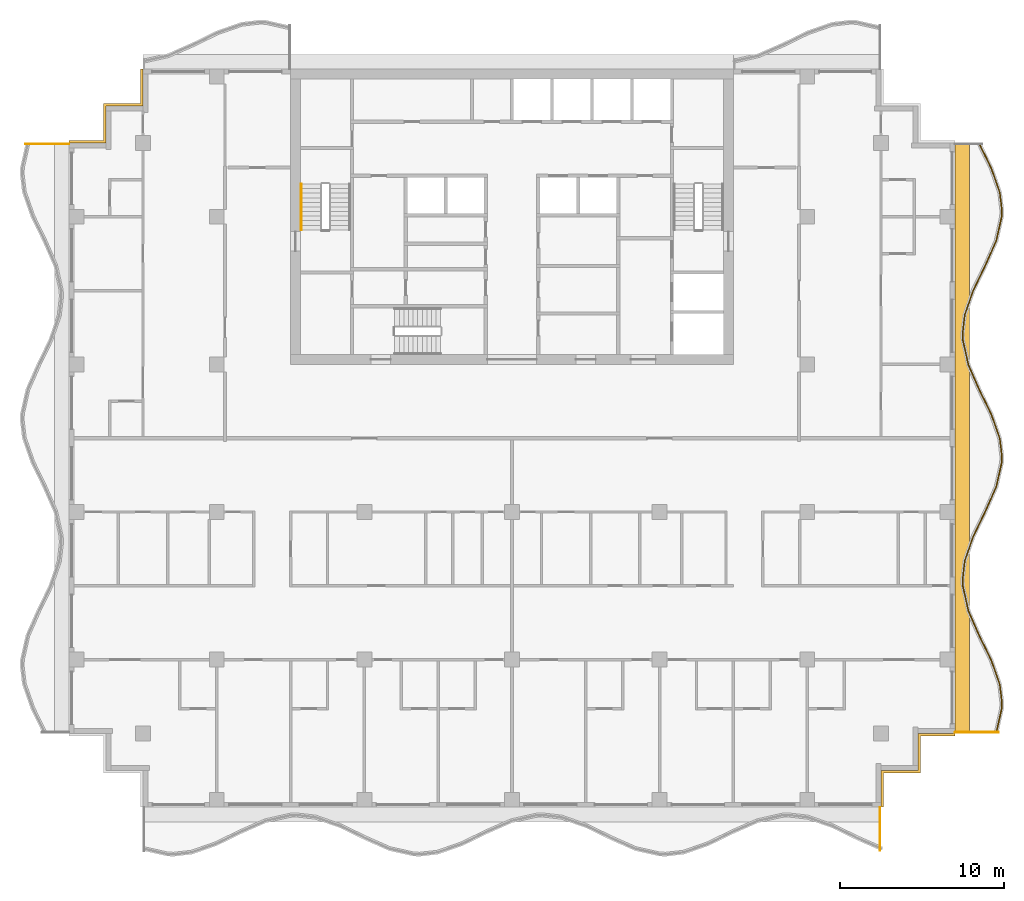
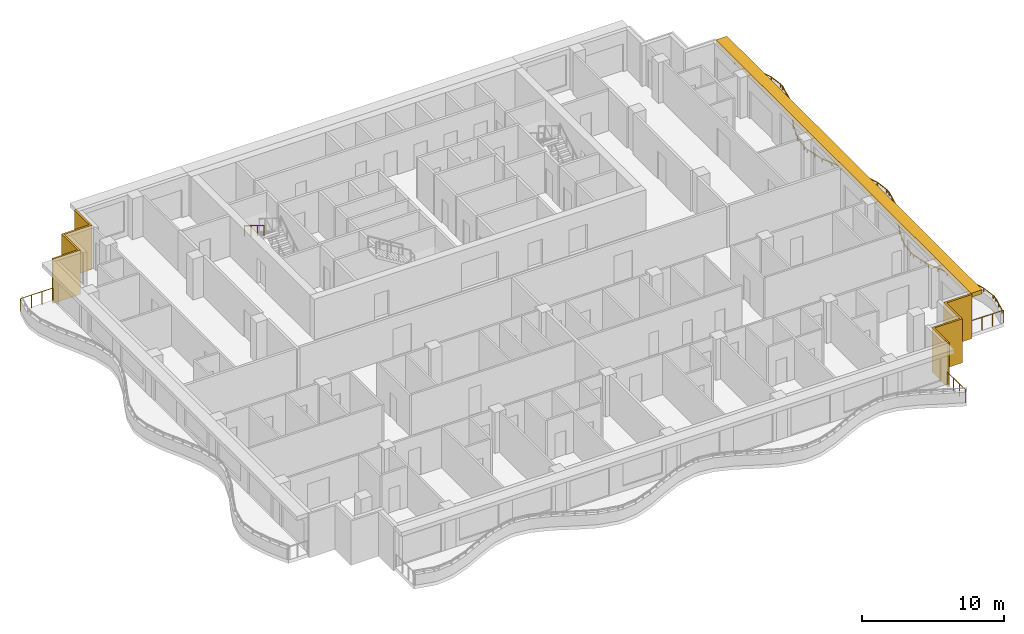
# One storey, part 10 of 11: 5 railings, 3 shading devices.
"""IFC4 building model written with IfcOpenShell, lengths in metres."""

from ifc_helpers import new_model, si_unit, direction, frame, origin, origin_2d, place, context, subcontext, project, spatial, polyline, rectangle, circle, outline, extrude, material, layer, layer_set, type_object, element, save


model = new_model("IFC4")

# Units and contexts
model_context = context("Model", 3, precision=1e-05, world=origin(), true_north=direction((0.0, 1.0)))
body_context = subcontext(model_context, "Body", "Model", "MODEL_VIEW")
ifc_project = project(units=[si_unit("LENGTHUNIT", "METRE"), si_unit("AREAUNIT", "SQUARE_METRE"), si_unit("VOLUMEUNIT", "CUBIC_METRE"), si_unit("PLANEANGLEUNIT", "RADIAN"), si_unit("MASSUNIT", "GRAM", prefix="KILO")], contexts=[model_context])

# Site, building, storey
site_placement = place(None, origin())
site = spatial("IfcSite", under=ifc_project, at=site_placement, CompositionType="ELEMENT")
building_placement = place(site_placement, origin())
building = spatial("IfcBuilding", under=site, at=building_placement, Name="Orbiselva Terraces", CompositionType="ELEMENT")
storey_placement = place(building_placement, frame((0.0, 0.0, 276.8)))
storey = spatial("IfcBuildingStorey", under=building, at=storey_placement, Name="L70", CompositionType="ELEMENT", Elevation=276.8)

# Railings
ifc_material_1 = material(Name="Stainless steel", Category="steel")
railing_type_1 = type_object("IfcRailingType", Name="CORE-HANDRAIL-900", PredefinedType="HANDRAIL", material=ifc_material_1)
railing_1_placement = place(storey_placement, frame((-12.85, 15.5, 2.072727)))
element("IfcRailing", 1, at=railing_1_placement, inside=storey, type_object=railing_type_1, Name="L70 S1 stair handrail 2", PredefinedType="HANDRAIL", context=body_context, shape_type="SweptSolid", body=[
    extrude(circle(Radius=0.024, at=origin_2d()), frame((0.0, 0.0, 0.876), z_axis=(0.0, -0.851088519012, 0.52502222125), x_axis=(1.0, 0.0, 0.0)), (0.0, 0.0, 1.0), 3.289905),
    extrude(circle(Radius=0.021, at=origin_2d()), origin(), (0.0, 0.0, 1.0), 0.852),
    extrude(circle(Radius=0.021, at=origin_2d()), frame((0.0, -0.933333, 0.575758)), (0.0, 0.0, 1.0), 0.852),
    extrude(circle(Radius=0.021, at=origin_2d()), frame((0.0, -1.866667, 1.151515)), (0.0, 0.0, 1.0), 0.852),
    extrude(circle(Radius=0.021, at=origin_2d()), frame((0.0, -2.8, 1.727273)), (0.0, 0.0, 1.0), 0.852),
])
ifc_material_2 = material(Name="Bonded two-ply safety glass balustrade, stainless steel posts", Category="steel")
railing_type_2 = type_object("IfcRailingType", Name="ENV-BALUSTRADE-1200", PredefinedType="BALUSTRADE", material=ifc_material_2)
railing_2_placement = place(storey_placement, frame((29.526563, -17.972623, 0.9)))
element("IfcRailing", 2, at=railing_2_placement, inside=storey, type_object=railing_type_2, Name="Balcony balustrade L70 E", PredefinedType="BALUSTRADE", context=body_context, shape_type="SweptSolid", body=[
    extrude(outline(polyline([(0.028868, 0.0), (0.014434, 0.025), (-0.014434, 0.025), (-0.028868, 0.0), (-0.014434, -0.025), (0.014434, -0.025), (0.028868, 0.0)])), frame((0.0, 0.0, 0.275), z_axis=(0.21901575501, 0.975721322437, 0.0), x_axis=(-0.975721322437, 0.21901575501, 0.0)), (0.0, 0.0, 1.0), 1.525954),
    extrude(outline(polyline([(0.028868, 0.0), (0.014434, 0.025), (-0.014434, 0.025), (-0.028868, 0.0), (-0.014434, -0.025), (0.014434, -0.025), (0.028868, 0.0)])), frame((0.334208, 1.488906, 0.275), z_axis=(0.039364150694, 0.999224931454, 0.0), x_axis=(-0.999224931454, 0.039364150694, 0.0)), (0.0, 0.0, 1.0), 0.354206),
    extrude(outline(polyline([(0.028868, 0.0), (0.014434, 0.025), (-0.014434, 0.025), (-0.028868, 0.0), (-0.014434, -0.025), (0.014434, -0.025), (0.028868, 0.0)])), frame((0.348151, 1.842837, 0.275), z_axis=(-0.115481264762, 0.993309658409, 0.0), x_axis=(-0.993309658409, -0.115481264762, 0.0)), (0.0, 0.0, 1.0), 1.10902),
    extrude(outline(polyline([(0.028868, 0.0), (0.014434, 0.025), (-0.014434, 0.025), (-0.028868, 0.0), (-0.014434, -0.025), (0.014434, -0.025), (0.028868, 0.0)])), frame((0.22008, 2.944437, 0.275), z_axis=(-0.330024754707, 0.943972277814, 0.0), x_axis=(-0.943972277814, -0.330024754707, 0.0)), (0.0, 0.0, 1.0), 1.567807),
    extrude(outline(polyline([(0.028868, 0.0), (0.014434, 0.025), (-0.014434, 0.025), (-0.028868, 0.0), (-0.014434, -0.025), (0.014434, -0.025), (0.028868, 0.0)])), frame((-0.297335, 4.424403, 0.275), z_axis=(-0.438811978768, 0.89857890432, 0.0), x_axis=(-0.89857890432, -0.438811978768, 0.0)), (0.0, 0.0, 1.0), 1.66438),
    extrude(outline(polyline([(0.028868, 0.0), (0.014434, 0.025), (-0.014434, 0.025), (-0.028868, 0.0), (-0.014434, -0.025), (0.014434, -0.025), (0.028868, 0.0)])), frame((-1.027685, 5.91998, 0.275), z_axis=(-0.403150874148, 0.915133527237, 0.0), x_axis=(-0.915133527237, -0.403150874148, 0.0)), (0.0, 0.0, 1.0), 1.653736),
    extrude(outline(polyline([(0.028868, 0.0), (0.014434, 0.025), (-0.014434, 0.025), (-0.028868, 0.0), (-0.014434, -0.025), (0.014434, -0.025), (0.028868, 0.0)])), frame((-1.69439, 7.433369, 0.275), z_axis=(-0.219015500924, 0.97572137947, 0.0), x_axis=(-0.97572137947, -0.219015500924, 0.0)), (0.0, 0.0, 1.0), 1.560867),
    extrude(outline(polyline([(0.028868, 0.0), (0.014434, 0.025), (-0.014434, 0.025), (-0.028868, 0.0), (-0.014434, -0.025), (0.014434, -0.025), (0.028868, 0.0)])), frame((-2.036244, 8.95634, 0.275), z_axis=(-0.03936915532, 0.999224734286, 0.0), x_axis=(-0.999224734286, -0.03936915532, 0.0)), (0.0, 0.0, 1.0), 0.396376),
    extrude(outline(polyline([(0.028868, 0.0), (0.014434, 0.025), (-0.014434, 0.025), (-0.028868, 0.0), (-0.014434, -0.025), (0.014434, -0.025), (0.028868, 0.0)])), frame((-2.051849, 9.352409, 0.275), z_axis=(0.115482182324, 0.993309551734, 0.0), x_axis=(-0.993309551734, 0.115482182324, 0.0)), (0.0, 0.0, 1.0), 1.156135),
    extrude(outline(polyline([(0.028868, 0.0), (0.014434, 0.025), (-0.014434, 0.025), (-0.028868, 0.0), (-0.014434, -0.025), (0.014434, -0.025), (0.028868, 0.0)])), frame((-1.918336, 10.500809, 0.275), z_axis=(0.330024597479, 0.943972332783, 0.0), x_axis=(-0.943972332783, 0.330024597479, 0.0)), (0.0, 0.0, 1.0), 1.610253),
    extrude(outline(polyline([(0.028868, 0.0), (0.014434, 0.025), (-0.014434, 0.025), (-0.028868, 0.0), (-0.014434, -0.025), (0.014434, -0.025), (0.028868, 0.0)])), frame((-1.386913, 12.020843, 0.275), z_axis=(0.438812048596, 0.898578870221, 0.0), x_axis=(-0.898578870221, 0.438812048596, 0.0)), (0.0, 0.0, 1.0), 1.674225),
    extrude(outline(polyline([(0.028868, 0.0), (0.014434, 0.025), (-0.014434, 0.025), (-0.028868, 0.0), (-0.014434, -0.025), (0.014434, -0.025), (0.028868, 0.0)])), frame((-0.652243, 13.525266, 0.275), z_axis=(0.403151245402, 0.915133363686, 0.0), x_axis=(-0.915133363686, 0.403151245402, 0.0)), (0.0, 0.0, 1.0), 1.624475),
    extrude(outline(polyline([(0.028868, 0.0), (0.014434, 0.025), (-0.014434, 0.025), (-0.028868, 0.0), (-0.014434, -0.025), (0.014434, -0.025), (0.028868, 0.0)])), frame((0.002666, 15.011877, 0.275), z_axis=(0.219015740235, 0.975721325753, 0.0), x_axis=(-0.975721325753, 0.219015740235, 0.0)), (0.0, 0.0, 1.0), 1.513782),
    extrude(outline(polyline([(0.028868, 0.0), (0.014434, 0.025), (-0.014434, 0.025), (-0.028868, 0.0), (-0.014434, -0.025), (0.014434, -0.025), (0.028868, 0.0)])), frame((0.334208, 16.488906, 0.275), z_axis=(0.039364150694, 0.999224931454, 0.0), x_axis=(-0.999224931454, 0.039364150694, 0.0)), (0.0, 0.0, 1.0), 0.354206),
    extrude(outline(polyline([(0.028868, 0.0), (0.014434, 0.025), (-0.014434, 0.025), (-0.028868, 0.0), (-0.014434, -0.025), (0.014434, -0.025), (0.028868, 0.0)])), frame((0.348151, 16.842837, 0.275), z_axis=(-0.115481264762, 0.993309658409, 0.0), x_axis=(-0.993309658409, -0.115481264762, 0.0)), (0.0, 0.0, 1.0), 1.10902),
    extrude(outline(polyline([(0.028868, 0.0), (0.014434, 0.025), (-0.014434, 0.025), (-0.028868, 0.0), (-0.014434, -0.025), (0.014434, -0.025), (0.028868, 0.0)])), frame((0.22008, 17.944437, 0.275), z_axis=(-0.330024754707, 0.943972277814, 0.0), x_axis=(-0.943972277814, -0.330024754707, 0.0)), (0.0, 0.0, 1.0), 1.567807),
    extrude(outline(polyline([(0.028868, 0.0), (0.014434, 0.025), (-0.014434, 0.025), (-0.028868, 0.0), (-0.014434, -0.025), (0.014434, -0.025), (0.028868, 0.0)])), frame((-0.297335, 19.424403, 0.275), z_axis=(-0.438811978768, 0.89857890432, 0.0), x_axis=(-0.89857890432, -0.438811978768, 0.0)), (0.0, 0.0, 1.0), 1.66438),
    extrude(outline(polyline([(0.028868, 0.0), (0.014434, 0.025), (-0.014434, 0.025), (-0.028868, 0.0), (-0.014434, -0.025), (0.014434, -0.025), (0.028868, 0.0)])), frame((-1.027685, 20.91998, 0.275), z_axis=(-0.403150874148, 0.915133527237, 0.0), x_axis=(-0.915133527237, -0.403150874148, 0.0)), (0.0, 0.0, 1.0), 1.653736),
    extrude(outline(polyline([(0.028868, 0.0), (0.014434, 0.025), (-0.014434, 0.025), (-0.028868, 0.0), (-0.014434, -0.025), (0.014434, -0.025), (0.028868, 0.0)])), frame((-1.69439, 22.433369, 0.275), z_axis=(-0.219015500924, 0.97572137947, 0.0), x_axis=(-0.97572137947, -0.219015500924, 0.0)), (0.0, 0.0, 1.0), 1.560867),
    extrude(outline(polyline([(0.028868, 0.0), (0.014434, 0.025), (-0.014434, 0.025), (-0.028868, 0.0), (-0.014434, -0.025), (0.014434, -0.025), (0.028868, 0.0)])), frame((-2.036244, 23.95634, 0.275), z_axis=(-0.03936915532, 0.999224734286, 0.0), x_axis=(-0.999224734286, -0.03936915532, 0.0)), (0.0, 0.0, 1.0), 0.396376),
    extrude(outline(polyline([(0.028868, 0.0), (0.014434, 0.025), (-0.014434, 0.025), (-0.028868, 0.0), (-0.014434, -0.025), (0.014434, -0.025), (0.028868, 0.0)])), frame((-2.051849, 24.352409, 0.275), z_axis=(0.115482182324, 0.993309551734, 0.0), x_axis=(-0.993309551734, 0.115482182324, 0.0)), (0.0, 0.0, 1.0), 1.156135),
    extrude(outline(polyline([(0.028868, 0.0), (0.014434, 0.025), (-0.014434, 0.025), (-0.028868, 0.0), (-0.014434, -0.025), (0.014434, -0.025), (0.028868, 0.0)])), frame((-1.918336, 25.500809, 0.275), z_axis=(0.330024597479, 0.943972332783, 0.0), x_axis=(-0.943972332783, 0.330024597479, 0.0)), (0.0, 0.0, 1.0), 1.610253),
    extrude(outline(polyline([(0.028868, 0.0), (0.014434, 0.025), (-0.014434, 0.025), (-0.028868, 0.0), (-0.014434, -0.025), (0.014434, -0.025), (0.028868, 0.0)])), frame((-1.386913, 27.020843, 0.275), z_axis=(0.438812048596, 0.898578870221, 0.0), x_axis=(-0.898578870221, 0.438812048596, 0.0)), (0.0, 0.0, 1.0), 1.674225),
    extrude(outline(polyline([(0.028868, 0.0), (0.014434, 0.025), (-0.014434, 0.025), (-0.028868, 0.0), (-0.014434, -0.025), (0.014434, -0.025), (0.028868, 0.0)])), frame((-0.652243, 28.525266, 0.275), z_axis=(0.403151245402, 0.915133363686, 0.0), x_axis=(-0.915133363686, 0.403151245402, 0.0)), (0.0, 0.0, 1.0), 1.624475),
    extrude(outline(polyline([(0.028868, 0.0), (0.014434, 0.025), (-0.014434, 0.025), (-0.028868, 0.0), (-0.014434, -0.025), (0.014434, -0.025), (0.028868, 0.0)])), frame((0.002666, 30.011877, 0.275), z_axis=(0.219015740235, 0.975721325753, 0.0), x_axis=(-0.975721325753, 0.219015740235, 0.0)), (0.0, 0.0, 1.0), 1.513782),
    extrude(outline(polyline([(0.028868, 0.0), (0.014434, 0.025), (-0.014434, 0.025), (-0.028868, 0.0), (-0.014434, -0.025), (0.014434, -0.025), (0.028868, 0.0)])), frame((0.334208, 31.488906, 0.275), z_axis=(0.039364150694, 0.999224931454, 0.0), x_axis=(-0.999224931454, 0.039364150694, 0.0)), (0.0, 0.0, 1.0), 0.354206),
    extrude(outline(polyline([(0.028868, 0.0), (0.014434, 0.025), (-0.014434, 0.025), (-0.028868, 0.0), (-0.014434, -0.025), (0.014434, -0.025), (0.028868, 0.0)])), frame((0.348151, 31.842837, 0.275), z_axis=(-0.115481264762, 0.993309658409, 0.0), x_axis=(-0.993309658409, -0.115481264762, 0.0)), (0.0, 0.0, 1.0), 1.10902),
    extrude(outline(polyline([(0.028868, 0.0), (0.014434, 0.025), (-0.014434, 0.025), (-0.028868, 0.0), (-0.014434, -0.025), (0.014434, -0.025), (0.028868, 0.0)])), frame((0.22008, 32.944437, 0.275), z_axis=(-0.330024754707, 0.943972277814, 0.0), x_axis=(-0.943972277814, -0.330024754707, 0.0)), (0.0, 0.0, 1.0), 1.567807),
    extrude(outline(polyline([(0.028868, 0.0), (0.014434, 0.025), (-0.014434, 0.025), (-0.028868, 0.0), (-0.014434, -0.025), (0.014434, -0.025), (0.028868, 0.0)])), frame((-0.297335, 34.424403, 0.275), z_axis=(-0.438811853882, 0.898578965307, 0.0), x_axis=(-0.898578965307, -0.438811853882, 0.0)), (0.0, 0.0, 1.0), 1.661922),
    extrude(rectangle(XDim=0.05, YDim=0.05, at=origin_2d()), origin(), (0.0, 0.0, 1.0), 0.25),
    extrude(rectangle(XDim=0.05, YDim=0.05, at=origin_2d()), frame((0.167104, 0.744453, 0.0)), (0.0, 0.0, 1.0), 0.25),
    extrude(rectangle(XDim=0.05, YDim=0.05, at=origin_2d()), frame((0.334208, 1.488906, 0.0)), (0.0, 0.0, 1.0), 0.25),
    extrude(rectangle(XDim=0.05, YDim=0.05, at=origin_2d()), frame((0.348151, 1.842837, 0.0)), (0.0, 0.0, 1.0), 0.25),
    extrude(rectangle(XDim=0.05, YDim=0.05, at=origin_2d()), frame((0.22008, 2.944437, 0.0)), (0.0, 0.0, 1.0), 0.25),
    extrude(rectangle(XDim=0.05, YDim=0.05, at=origin_2d()), frame((-0.038628, 3.68442, 0.0)), (0.0, 0.0, 1.0), 0.25),
    extrude(rectangle(XDim=0.05, YDim=0.05, at=origin_2d()), frame((-0.297335, 4.424403, 0.0)), (0.0, 0.0, 1.0), 0.25),
    extrude(rectangle(XDim=0.05, YDim=0.05, at=origin_2d()), frame((-0.66251, 5.172191, 0.0)), (0.0, 0.0, 1.0), 0.25),
    extrude(rectangle(XDim=0.05, YDim=0.05, at=origin_2d()), frame((-1.027685, 5.91998, 0.0)), (0.0, 0.0, 1.0), 0.25),
    extrude(rectangle(XDim=0.05, YDim=0.05, at=origin_2d()), frame((-1.361037, 6.676674, 0.0)), (0.0, 0.0, 1.0), 0.25),
    extrude(rectangle(XDim=0.05, YDim=0.05, at=origin_2d()), frame((-1.69439, 7.433369, 0.0)), (0.0, 0.0, 1.0), 0.25),
    extrude(rectangle(XDim=0.05, YDim=0.05, at=origin_2d()), frame((-1.865317, 8.194854, 0.0)), (0.0, 0.0, 1.0), 0.25),
    extrude(rectangle(XDim=0.05, YDim=0.05, at=origin_2d()), frame((-2.036244, 8.95634, 0.0)), (0.0, 0.0, 1.0), 0.25),
    extrude(rectangle(XDim=0.05, YDim=0.05, at=origin_2d()), frame((-2.051849, 9.352409, 0.0)), (0.0, 0.0, 1.0), 0.25),
    extrude(rectangle(XDim=0.05, YDim=0.05, at=origin_2d()), frame((-1.918336, 10.500809, 0.0)), (0.0, 0.0, 1.0), 0.25),
    extrude(rectangle(XDim=0.05, YDim=0.05, at=origin_2d()), frame((-1.652624, 11.260826, 0.0)), (0.0, 0.0, 1.0), 0.25),
    extrude(rectangle(XDim=0.05, YDim=0.05, at=origin_2d()), frame((-1.386913, 12.020843, 0.0)), (0.0, 0.0, 1.0), 0.25),
    extrude(rectangle(XDim=0.05, YDim=0.05, at=origin_2d()), frame((-1.019578, 12.773054, 0.0)), (0.0, 0.0, 1.0), 0.25),
    extrude(rectangle(XDim=0.05, YDim=0.05, at=origin_2d()), frame((-0.652243, 13.525266, 0.0)), (0.0, 0.0, 1.0), 0.25),
    extrude(rectangle(XDim=0.05, YDim=0.05, at=origin_2d()), frame((-0.324788, 14.268571, 0.0)), (0.0, 0.0, 1.0), 0.25),
    extrude(rectangle(XDim=0.05, YDim=0.05, at=origin_2d()), frame((0.002666, 15.011877, 0.0)), (0.0, 0.0, 1.0), 0.25),
    extrude(rectangle(XDim=0.05, YDim=0.05, at=origin_2d()), frame((0.168437, 15.750392, 0.0)), (0.0, 0.0, 1.0), 0.25),
    extrude(rectangle(XDim=0.05, YDim=0.05, at=origin_2d()), frame((0.334208, 16.488906, 0.0)), (0.0, 0.0, 1.0), 0.25),
    extrude(rectangle(XDim=0.05, YDim=0.05, at=origin_2d()), frame((0.348151, 16.842837, 0.0)), (0.0, 0.0, 1.0), 0.25),
    extrude(rectangle(XDim=0.05, YDim=0.05, at=origin_2d()), frame((0.22008, 17.944437, 0.0)), (0.0, 0.0, 1.0), 0.25),
    extrude(rectangle(XDim=0.05, YDim=0.05, at=origin_2d()), frame((-0.038628, 18.68442, 0.0)), (0.0, 0.0, 1.0), 0.25),
    extrude(rectangle(XDim=0.05, YDim=0.05, at=origin_2d()), frame((-0.297335, 19.424403, 0.0)), (0.0, 0.0, 1.0), 0.25),
    extrude(rectangle(XDim=0.05, YDim=0.05, at=origin_2d()), frame((-0.66251, 20.172191, 0.0)), (0.0, 0.0, 1.0), 0.25),
    extrude(rectangle(XDim=0.05, YDim=0.05, at=origin_2d()), frame((-1.027685, 20.91998, 0.0)), (0.0, 0.0, 1.0), 0.25),
    extrude(rectangle(XDim=0.05, YDim=0.05, at=origin_2d()), frame((-1.361037, 21.676674, 0.0)), (0.0, 0.0, 1.0), 0.25),
    extrude(rectangle(XDim=0.05, YDim=0.05, at=origin_2d()), frame((-1.69439, 22.433369, 0.0)), (0.0, 0.0, 1.0), 0.25),
    extrude(rectangle(XDim=0.05, YDim=0.05, at=origin_2d()), frame((-1.865317, 23.194854, 0.0)), (0.0, 0.0, 1.0), 0.25),
    extrude(rectangle(XDim=0.05, YDim=0.05, at=origin_2d()), frame((-2.036244, 23.95634, 0.0)), (0.0, 0.0, 1.0), 0.25),
    extrude(rectangle(XDim=0.05, YDim=0.05, at=origin_2d()), frame((-2.051849, 24.352409, 0.0)), (0.0, 0.0, 1.0), 0.25),
    extrude(rectangle(XDim=0.05, YDim=0.05, at=origin_2d()), frame((-1.918336, 25.500809, 0.0)), (0.0, 0.0, 1.0), 0.25),
    extrude(rectangle(XDim=0.05, YDim=0.05, at=origin_2d()), frame((-1.652624, 26.260826, 0.0)), (0.0, 0.0, 1.0), 0.25),
    extrude(rectangle(XDim=0.05, YDim=0.05, at=origin_2d()), frame((-1.386913, 27.020843, 0.0)), (0.0, 0.0, 1.0), 0.25),
    extrude(rectangle(XDim=0.05, YDim=0.05, at=origin_2d()), frame((-1.019578, 27.773054, 0.0)), (0.0, 0.0, 1.0), 0.25),
    extrude(rectangle(XDim=0.05, YDim=0.05, at=origin_2d()), frame((-0.652243, 28.525266, 0.0)), (0.0, 0.0, 1.0), 0.25),
    extrude(rectangle(XDim=0.05, YDim=0.05, at=origin_2d()), frame((-0.324788, 29.268572, 0.0)), (0.0, 0.0, 1.0), 0.25),
    extrude(rectangle(XDim=0.05, YDim=0.05, at=origin_2d()), frame((0.002666, 30.011877, 0.0)), (0.0, 0.0, 1.0), 0.25),
    extrude(rectangle(XDim=0.05, YDim=0.05, at=origin_2d()), frame((0.168437, 30.750392, 0.0)), (0.0, 0.0, 1.0), 0.25),
    extrude(rectangle(XDim=0.05, YDim=0.05, at=origin_2d()), frame((0.334208, 31.488906, 0.0)), (0.0, 0.0, 1.0), 0.25),
    extrude(rectangle(XDim=0.05, YDim=0.05, at=origin_2d()), frame((0.348151, 31.842837, 0.0)), (0.0, 0.0, 1.0), 0.25),
    extrude(rectangle(XDim=0.05, YDim=0.05, at=origin_2d()), frame((0.22008, 32.944437, 0.0)), (0.0, 0.0, 1.0), 0.25),
    extrude(rectangle(XDim=0.05, YDim=0.05, at=origin_2d()), frame((-0.038628, 33.68442, 0.0)), (0.0, 0.0, 1.0), 0.25),
    extrude(rectangle(XDim=0.05, YDim=0.05, at=origin_2d()), frame((-0.297335, 34.424403, 0.0)), (0.0, 0.0, 1.0), 0.25),
    extrude(rectangle(XDim=0.05, YDim=0.05, at=origin_2d()), frame((-0.661971, 35.171087, 0.0)), (0.0, 0.0, 1.0), 0.25),
    extrude(rectangle(XDim=0.05, YDim=0.05, at=origin_2d()), frame((-1.026606, 35.917771, 0.0)), (0.0, 0.0, 1.0), 0.25),
])
ifc_material_3 = material(Name="Stainless steel rail and posts", Category="steel")
railing_type_3 = type_object("IfcRailingType", Name="ENV-GUARD-1105", PredefinedType="BALUSTRADE", material=ifc_material_3)
railing_3_placement = place(storey_placement, frame((22.44, -25.126937, 0.0)))
element("IfcRailing", 3, at=railing_3_placement, inside=storey, type_object=railing_type_3, Name="Balcony end guard L70 S", PredefinedType="BALUSTRADE", context=body_context, shape_type="SweptSolid", body=[
    extrude(outline(polyline([(0.028868, 0.0), (0.014434, 0.025), (-0.014434, 0.025), (-0.028868, 0.0), (-0.014434, -0.025), (0.014434, -0.025), (0.028868, 0.0)])), frame((0.0, 0.0, 1.08), z_axis=(0.0, 1.0, 0.0), x_axis=(-1.0, 0.0, 0.0)), (0.0, 0.0, 1.0), 2.601937),
    extrude(rectangle(XDim=0.05, YDim=0.05, at=origin_2d()), origin(), (0.0, 0.0, 1.0), 1.055),
    extrude(rectangle(XDim=0.05, YDim=0.05, at=origin_2d()), frame((0.0, 0.867312, 0.0)), (0.0, 0.0, 1.0), 1.055),
    extrude(rectangle(XDim=0.05, YDim=0.05, at=origin_2d()), frame((0.0, 1.734625, 0.0)), (0.0, 0.0, 1.0), 1.055),
    extrude(rectangle(XDim=0.05, YDim=0.05, at=origin_2d()), frame((0.0, 2.601937, 0.0)), (0.0, 0.0, 1.0), 1.055),
])
railing_4_placement = place(storey_placement, frame((29.669584, -17.94, 0.0)))
element("IfcRailing", 4, at=railing_4_placement, inside=storey, type_object=railing_type_3, Name="Balcony end guard L70 E", PredefinedType="BALUSTRADE", context=body_context, shape_type="SweptSolid", body=[
    extrude(outline(polyline([(0.028868, 0.0), (0.014434, 0.025), (-0.014434, 0.025), (-0.028868, 0.0), (-0.014434, -0.025), (0.014434, -0.025), (0.028868, 0.0)])), frame((0.0, 0.0, 1.08), z_axis=(-1.0, 0.0, 0.0), x_axis=(0.0, -1.0, 0.0)), (0.0, 0.0, 1.0), 2.644584),
    extrude(rectangle(XDim=0.05, YDim=0.05, at=origin_2d()), origin(), (0.0, 0.0, 1.0), 1.055),
    extrude(rectangle(XDim=0.05, YDim=0.05, at=origin_2d()), frame((-0.881528, 0.0, 0.0)), (0.0, 0.0, 1.0), 1.055),
    extrude(rectangle(XDim=0.05, YDim=0.05, at=origin_2d()), frame((-1.763056, 0.0, 0.0)), (0.0, 0.0, 1.0), 1.055),
    extrude(rectangle(XDim=0.05, YDim=0.05, at=origin_2d()), frame((-2.644584, 0.0, 0.0)), (0.0, 0.0, 1.0), 1.055),
])
railing_5_placement = place(storey_placement, frame((-29.669584, 17.94, 0.0)))
element("IfcRailing", 5, at=railing_5_placement, inside=storey, type_object=railing_type_3, Name="Balcony end guard L70 W", PredefinedType="BALUSTRADE", context=body_context, shape_type="SweptSolid", body=[
    extrude(outline(polyline([(0.028868, 0.0), (0.014434, 0.025), (-0.014434, 0.025), (-0.028868, 0.0), (-0.014434, -0.025), (0.014434, -0.025), (0.028868, 0.0)])), frame((0.0, 0.0, 1.08), z_axis=(1.0, 0.0, 0.0), x_axis=(0.0, 1.0, 0.0)), (0.0, 0.0, 1.0), 2.644584),
    extrude(rectangle(XDim=0.05, YDim=0.05, at=origin_2d()), origin(), (0.0, 0.0, 1.0), 1.055),
    extrude(rectangle(XDim=0.05, YDim=0.05, at=origin_2d()), frame((0.881528, 0.0, 0.0)), (0.0, 0.0, 1.0), 1.055),
    extrude(rectangle(XDim=0.05, YDim=0.05, at=origin_2d()), frame((1.763056, 0.0, 0.0)), (0.0, 0.0, 1.0), 1.055),
    extrude(rectangle(XDim=0.05, YDim=0.05, at=origin_2d()), frame((2.644584, 0.0, 0.0)), (0.0, 0.0, 1.0), 1.055),
])

# Shading devices
ifc_material_4 = material(Name="Terracotta louvre screen", Category="masonry")
ifc_layer_1 = layer(ifc_material_4, 0.15)
ifc_layer_set_1 = layer_set([ifc_layer_1], Name="Terracotta louvre screen")
shading_device_type_1 = type_object("IfcShadingDeviceType", Name="ENV-SCREEN-150", PredefinedType="USERDEFINED", material=ifc_layer_set_1)
shading_device_1_placement = place(storey_placement, frame((0.0, 0.0, -0.3)))
element("IfcShadingDevice", 6, at=shading_device_1_placement, inside=storey, type_object=shading_device_type_1, Name="Louvre screen L70 NW", ObjectType="SCREEN", PredefinedType="USERDEFINED", context=body_context, shape_type="SweptSolid", body=[
    extrude(outline(polyline([(-22.65, 22.5), (-22.65, 20.4), (-24.9, 20.4), (-24.9, 18.15), (-27.0, 18.15), (-27.0, 18.0), (-24.75, 18.0), (-24.75, 20.25), (-22.5, 20.25), (-22.5, 22.5), (-22.65, 22.5)])), origin(), (0.0, 0.0, 1.0), 3.8),
])
shading_device_2_placement = place(storey_placement, frame((0.0, 0.0, -0.3)))
element("IfcShadingDevice", 7, at=shading_device_2_placement, inside=storey, type_object=shading_device_type_1, Name="Louvre screen L70 SE", ObjectType="SCREEN", PredefinedType="USERDEFINED", context=body_context, shape_type="SweptSolid", body=[
    extrude(outline(polyline([(22.65, -22.5), (22.65, -20.4), (24.9, -20.4), (24.9, -18.15), (27.0, -18.15), (27.0, -18.0), (24.75, -18.0), (24.75, -20.25), (22.5, -20.25), (22.5, -22.5), (22.65, -22.5)])), origin(), (0.0, 0.0, 1.0), 3.8),
])
ifc_material_5 = material(Name="Terracotta baguette sunshade", Category="masonry")
ifc_layer_2 = layer(ifc_material_5, 0.35)
ifc_layer_set_2 = layer_set([ifc_layer_2], Name="Terracotta baguette sunshade")
shading_device_type_2 = type_object("IfcShadingDeviceType", Name="ENV-SUNSHADE-900x350", PredefinedType="USERDEFINED", material=ifc_layer_set_2)
shading_device_3_placement = place(storey_placement, frame((0.0, 0.0, 3.15)))
element("IfcShadingDevice", 8, at=shading_device_3_placement, inside=storey, type_object=shading_device_type_2, Name="Sunshade band L70 E", ObjectType="SUNSHADE", PredefinedType="USERDEFINED", context=body_context, shape_type="SweptSolid", body=[
    extrude(outline(polyline([(27.9, -18.0), (27.9, 18.0), (27.0, 18.0), (27.0, -18.0), (27.9, -18.0)])), origin(), (0.0, 0.0, 1.0), 0.35),
])

save(model, "model.ifc")
